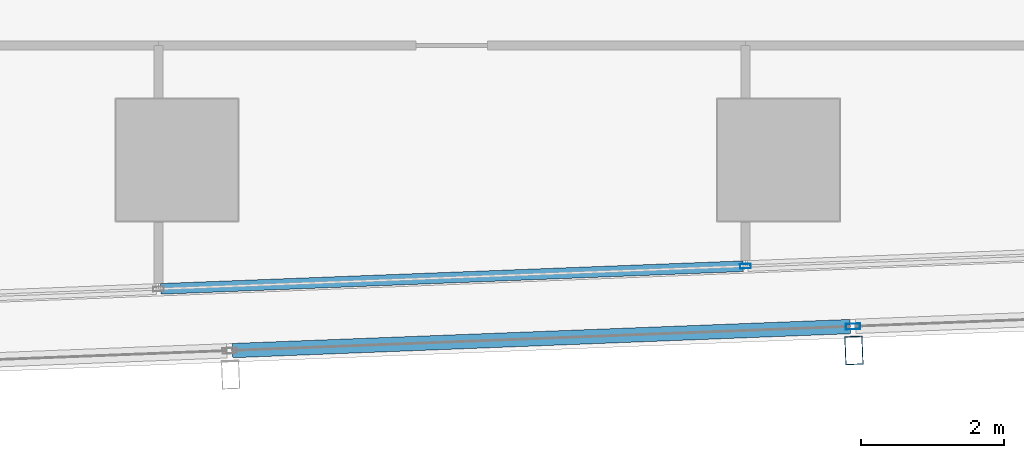
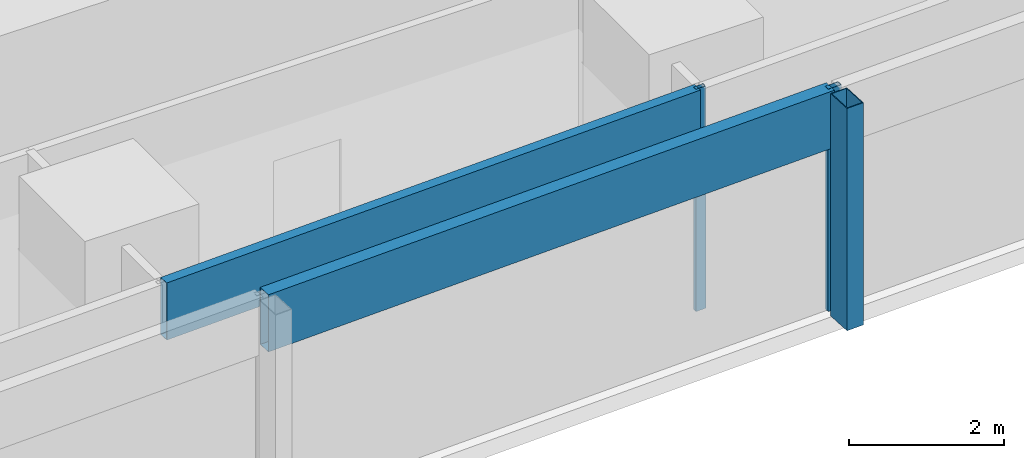
# One storey, part 10 of 40: 5 members, 2 elements without a shape of their own.
"""IFC4 building model written with IfcOpenShell, lengths in metres."""

from ifc_helpers import new_model, si_unit, direction, frame, origin, origin_2d, place, context, subcontext, project, spatial, hollow_rectangle, extrude, material, material_profile, profile_set, type_object, element, aggregate, save


model = new_model("IFC4")

# Units and contexts
model_context = context("Model", 3, precision=1e-05, world=origin(), true_north=direction((0.0, 1.0)))
body_context = subcontext(model_context, "Body", "Model", "MODEL_VIEW")
ifc_project = project(units=[si_unit("LENGTHUNIT", "METRE"), si_unit("AREAUNIT", "SQUARE_METRE"), si_unit("VOLUMEUNIT", "CUBIC_METRE"), si_unit("PLANEANGLEUNIT", "RADIAN"), si_unit("MASSUNIT", "GRAM", prefix="KILO")], contexts=[model_context])

# Site, building, storey
site_placement = place(None, origin())
site = spatial("IfcSite", under=ifc_project, at=site_placement, CompositionType="ELEMENT")
building_placement = place(site_placement, origin())
building = spatial("IfcBuilding", under=site, at=building_placement, Name="Rekha Terrace Tower", CompositionType="ELEMENT")
storey_placement = place(building_placement, frame((0.0, 0.0, 136.550048828125)))
storey = spatial("IfcBuildingStorey", under=building, at=storey_placement, Name="L34", CompositionType="ELEMENT", Elevation=136.550048828125)

# Curtain wall, member
ifc_material_1 = material(Name="Aluminium framing", Category="aluminium")
curtain_wall_type_1 = type_object("IfcCurtainWallType", Name="CW2 double skin outer glazing", PredefinedType="USERDEFINED", material=ifc_material_1)
curtain_wall_1_placement = place(storey_placement, origin())
curtain_wall_1 = element("IfcCurtainWall", 1, at=curtain_wall_1_placement, inside=storey, type_object=curtain_wall_type_1, Name="CW2 double skin outer glazing", ObjectType="DOUBLE SKIN OUTER GLAZING", PredefinedType="USERDEFINED")
ifc_material_2 = material(Name="Steel S355 with fluorocarbon finish", Category="steel")
ifc_material_profile_1 = material_profile(ifc_material_2, hollow_rectangle(XDim=0.25, YDim=0.39990234375, WallThickness=0.012451171875, at=origin_2d()), Name="RHS400x250x12.5")
ifc_profile_set_1 = profile_set([ifc_material_profile_1], Name="Steel S355 with fluorocarbon finish")
member_type_1 = type_object("IfcMemberType", Name="BL1 facade blade RHS 400 x 250", PredefinedType="USERDEFINED", material=ifc_profile_set_1)
member_1_placement = place(storey_placement, frame((51.4521484375, 14.141845703125, 0.0), z_axis=(0.0, 0.0, 1.0), x_axis=(0.999243494356, 0.038890088543, 0.0)))
member_1 = element("IfcMember", 2, at=member_1_placement, type_object=member_type_1, Name="Facade blade", ObjectType="FACADE BLADE", PredefinedType="USERDEFINED", context=body_context, shape_type="SweptSolid", body=[
    extrude(hollow_rectangle(XDim=0.25, YDim=0.39990234375, WallThickness=0.012451171875, at=origin_2d()), origin(), (0.0, 0.0, 1.0), 3.5),
])

# Curtain wall, members
curtain_wall_type_2 = type_object("IfcCurtainWallType", Name="CW1 double skin inner glazing", PredefinedType="USERDEFINED", material=ifc_material_1)
curtain_wall_2_placement = place(storey_placement, origin())
curtain_wall_2 = element("IfcCurtainWall", 3, at=curtain_wall_2_placement, inside=storey, type_object=curtain_wall_type_2, Name="CW1 double skin inner glazing", ObjectType="DOUBLE SKIN INNER GLAZING", PredefinedType="USERDEFINED")
ifc_material_3 = material(Name="Aluminium mullion section", Category="aluminium")
ifc_material_profile_2 = material_profile(ifc_material_3, hollow_rectangle(XDim=0.06494140625, YDim=0.14990234375, WallThickness=0.00390625, at=origin_2d()), Name="AL RHS 65x150")
ifc_profile_set_2 = profile_set([ifc_material_profile_2], Name="Aluminium mullion section")
member_type_2 = type_object("IfcMemberType", Name="CW1 mullion RHS 65 x 150", PredefinedType="MULLION", material=ifc_profile_set_2)
member_2_placement = place(storey_placement, frame((49.936767578125, 15.31884765625, 0.0), z_axis=(0.0, 0.0, 1.0), x_axis=(-0.038889971345, 0.999243498917, 0.0)))
member_2 = element("IfcMember", 4, at=member_2_placement, type_object=member_type_2, Name="CW1 mullion 4", PredefinedType="MULLION", context=body_context, shape_type="SweptSolid", body=[
    extrude(hollow_rectangle(XDim=0.06494140625, YDim=0.14990234375, WallThickness=0.00390625, at=origin_2d()), origin(), (0.0, 0.0, 1.0), 3.5),
])
ifc_material_4 = material(Name="Insulated aluminium spandrel box", Category="aluminium")
ifc_material_profile_3 = material_profile(ifc_material_4, hollow_rectangle(XDim=0.14990234375, YDim=0.89990234375, WallThickness=0.0029296875, at=origin_2d()), Name="AL SPANDREL BOX 150x900")
ifc_profile_set_3 = profile_set([ifc_material_profile_3], Name="Insulated aluminium spandrel box")
member_type_3 = type_object("IfcMemberType", Name="CW1 spandrel transom 150 x 900", PredefinedType="USERDEFINED", material=ifc_profile_set_3)
member_3_placement = place(storey_placement, frame((41.772705078125, 15.001220703125, 3.050048828125), z_axis=(0.999243835719, 0.038881316573, 0.0), x_axis=(-0.038881316573, 0.999243835719, 0.0)))
member_3 = element("IfcMember", 5, at=member_3_placement, type_object=member_type_3, Name="CW1 spandrel transom 3", ObjectType="TRANSOM", PredefinedType="USERDEFINED", context=body_context, shape_type="SweptSolid", body=[
    extrude(hollow_rectangle(XDim=0.14990234375, YDim=0.89990234375, WallThickness=0.0029296875, at=origin_2d()), origin(), (0.0, 0.0, 1.0), 8.1376953125),
])
aggregate(curtain_wall_2, [member_2, member_3])

# Member
ifc_material_profile_4 = material_profile(ifc_material_3, hollow_rectangle(XDim=0.080078125, YDim=0.199951171875, WallThickness=0.00390625, at=origin_2d()), Name="AL RHS 80x200")
ifc_profile_set_4 = profile_set([ifc_material_profile_4], Name="Aluminium mullion section")
member_type_4 = type_object("IfcMemberType", Name="CW2 mullion RHS 80 x 200", PredefinedType="MULLION", material=ifc_profile_set_4)
member_4_placement = place(storey_placement, frame((51.439208984375, 14.4765625, 0.0), z_axis=(0.0, 0.0, 1.0), x_axis=(-0.038889971345, 0.999243498917, 0.0)))
member_4 = element("IfcMember", 6, at=member_4_placement, type_object=member_type_4, Name="CW2 mullion 4", PredefinedType="MULLION", context=body_context, shape_type="SweptSolid", body=[
    extrude(hollow_rectangle(XDim=0.080078125, YDim=0.199951171875, WallThickness=0.00390625, at=origin_2d()), origin(), (0.0, 0.0, 1.0), 3.5),
])

ifc_material_profile_5 = material_profile(ifc_material_4, hollow_rectangle(XDim=0.199951171875, YDim=0.89990234375, WallThickness=0.0029296875, at=origin_2d()), Name="AL SPANDREL BOX 200x900")
ifc_profile_set_5 = profile_set([ifc_material_profile_5], Name="Insulated aluminium spandrel box")
member_type_5 = type_object("IfcMemberType", Name="CW2 spandrel transom 200 x 900", PredefinedType="USERDEFINED", material=ifc_profile_set_5)
member_5_placement = place(storey_placement, frame((42.774169921875, 14.139404296875, 3.050048828125), z_axis=(0.999243438523, 0.038891523097, 0.0), x_axis=(-0.038891523097, 0.999243438523, 0.0)))
member_5 = element("IfcMember", 7, at=member_5_placement, type_object=member_type_5, Name="CW2 spandrel transom 3", ObjectType="TRANSOM", PredefinedType="USERDEFINED", context=body_context, shape_type="SweptSolid", body=[
    extrude(hollow_rectangle(XDim=0.199951171875, YDim=0.89990234375, WallThickness=0.0029296875, at=origin_2d()), origin(), (0.0, 0.0, 1.0), 8.631591796875),
])

aggregate(curtain_wall_1, [member_4, member_5, member_1])

save(model, "model.ifc")
